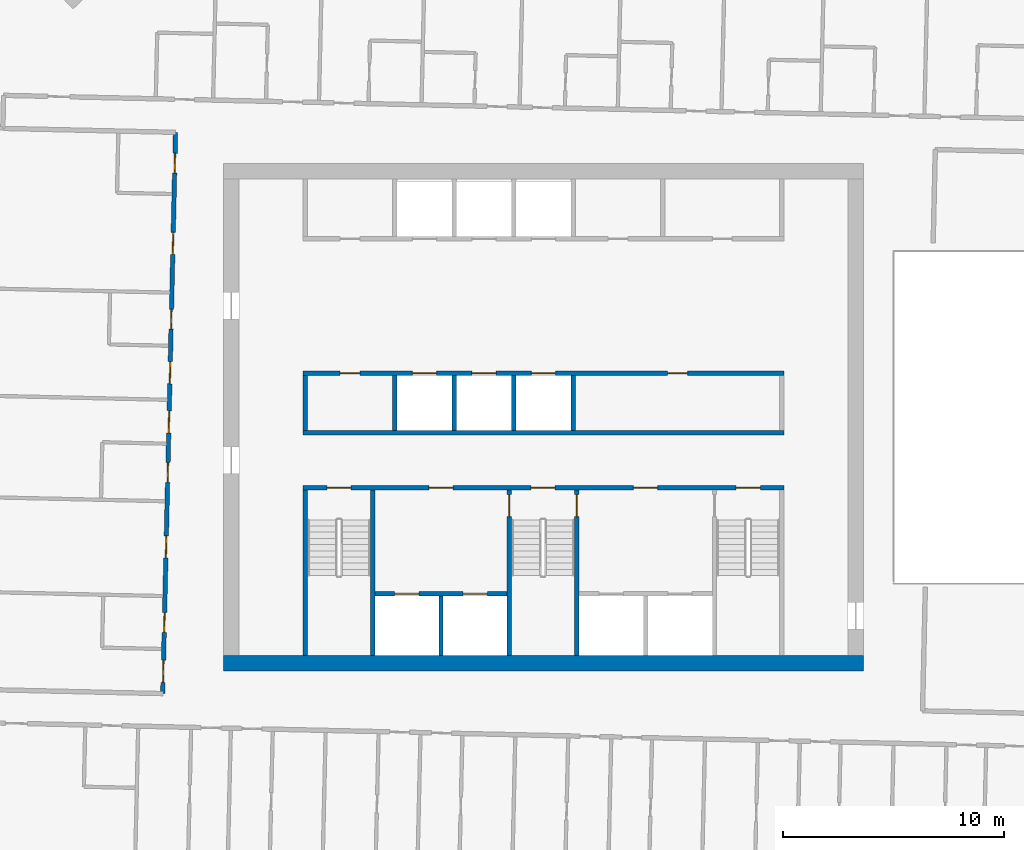
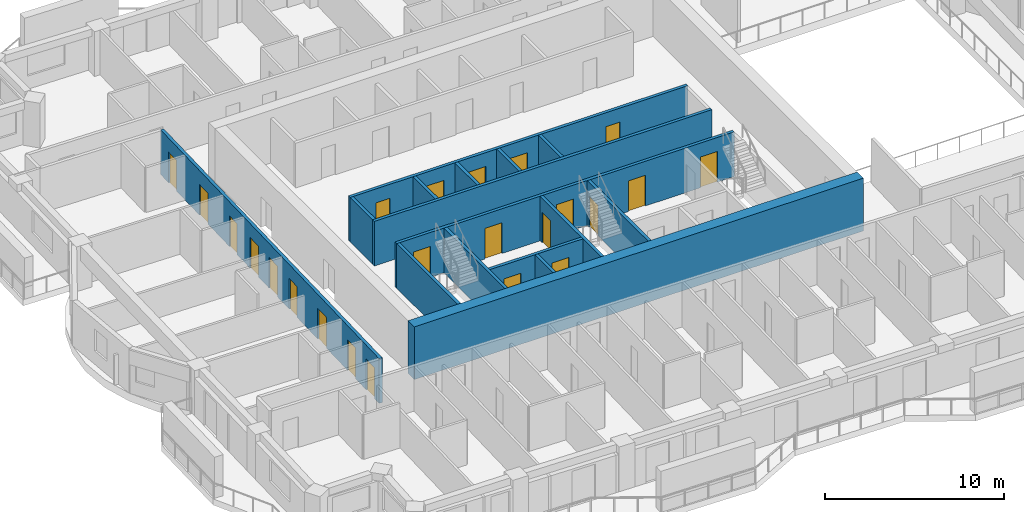
# One storey, part 8 of 17: 23 doors, 16 walls, 23 openings.
"""IFC4 building model written with IfcOpenShell, lengths in metres."""

from ifc_helpers import new_model, si_unit, direction, frame, frame_2d, origin, place, context, subcontext, project, spatial, rectangle, extrude, material, layer, layer_set, type_object, element, fill, save


model = new_model("IFC4")

# Units and contexts
model_context = context("Model", 3, precision=1e-05, world=origin(), true_north=direction((0.0, 1.0)))
body_context = subcontext(model_context, "Body", "Model", "MODEL_VIEW")
ifc_project = project(units=[si_unit("LENGTHUNIT", "METRE"), si_unit("AREAUNIT", "SQUARE_METRE"), si_unit("VOLUMEUNIT", "CUBIC_METRE"), si_unit("PLANEANGLEUNIT", "RADIAN"), si_unit("MASSUNIT", "GRAM", prefix="KILO")], contexts=[model_context])

# Site, building, storey
site_placement = place(None, origin())
site = spatial("IfcSite", under=ifc_project, at=site_placement, CompositionType="ELEMENT")
building_placement = place(site_placement, origin())
building = spatial("IfcBuilding", under=site, at=building_placement, Name="Mangrove Gate Tower", CompositionType="ELEMENT")
storey_placement = place(building_placement, frame((0.0, 0.0, 264.5)))
storey = spatial("IfcBuildingStorey", under=building, at=storey_placement, Name="L67", CompositionType="ELEMENT", Elevation=264.5)

# Walls
ifc_material_1 = material(Name="Concrete C32/40", Category="concrete")
ifc_layer_1 = layer(ifc_material_1, 0.199951171875)
ifc_layer_set_1 = layer_set([ifc_layer_1], Name="Core room wall 200 C32/40")
wall_type_1 = type_object("IfcWallType", Name="Core room wall 200 C32/40", PredefinedType="STANDARD", material=ifc_layer_set_1)
wall_1_placement = place(storey_placement, frame((-10.800048828125, -0.60009765625, 0.0), z_axis=(0.0, 0.0, 1.0), x_axis=(0.0, 1.0, 0.0)))
element("IfcWall", 1, at=wall_1_placement, inside=storey, type_object=wall_type_1, Name="WALL-L67-CORE-19", PredefinedType="STANDARD", context=body_context, shape_type="SweptSolid", body=[
    extrude(rectangle(XDim=2.5, YDim=0.199951171875, at=frame_2d((1.25, 0.0))), origin(), (0.0, 0.0, 1.0), 3.050048828125),
])
ifc_material_2 = material(Name="Concrete C60/75", Category="concrete")
ifc_layer_2 = layer(ifc_material_2, 0.199951171875)
ifc_layer_set_2 = layer_set([ifc_layer_2], Name="Core shaft wall 200 C60/75")
wall_type_2 = type_object("IfcWallType", Name="Core shaft wall 200 C60/75", PredefinedType="SHEAR", material=ifc_layer_set_2)
wall_2_placement = place(storey_placement, frame((-10.89990234375, -0.699951171875, 0.0), z_axis=(0.0, 0.0, 1.0), x_axis=(1.0, 0.0, 0.0)))
element("IfcWall", 2, at=wall_2_placement, inside=storey, type_object=wall_type_2, Name="WALL-L67-CORE-6", PredefinedType="SHEAR", context=body_context, shape_type="SweptSolid", body=[
    extrude(rectangle(XDim=21.7998046875, YDim=0.199951171875, at=frame_2d((10.89990234375, 0.0))), origin(), (0.0, 0.0, 1.0), 3.050048828125),
])

# Wall, openings, doors
wall_3_placement = place(storey_placement, frame((-10.89990234375, 2.0, 0.0), z_axis=(0.0, 0.0, 1.0), x_axis=(1.0, 0.0, 0.0)))
wall_3 = element("IfcWall", 3, at=wall_3_placement, inside=storey, type_object=wall_type_2, Name="WALL-L67-CORE-7", PredefinedType="SHEAR", context=body_context, shape_type="SweptSolid", body=[
    extrude(rectangle(XDim=21.7998046875, YDim=0.199951171875, at=frame_2d((10.89990234375, 0.0))), origin(), (0.0, 0.0, 1.0), 3.050048828125),
])
opening_1_placement = place(wall_3_placement, frame((4.949951171875, 0.0, 0.0)))
opening_1 = element("IfcOpeningElement", 4, at=opening_1_placement, cuts=wall_3, Name="Opening LD", PredefinedType="OPENING", context=body_context, shape_type="SweptSolid", body=[
    extrude(rectangle(XDim=1.10009765625, YDim=2.10009765625, at=frame_2d((0.550048828125, 1.050048828125))), frame((0.0, 0.10986328125, 0.0), z_axis=(0.0, -1.0, 0.0), x_axis=(1.0, 0.0, 0.0)), (0.0, 0.0, 1.0), 0.219970703125),
])
opening_2_placement = place(wall_3_placement, frame((7.64990234375, 0.0, 0.0)))
opening_2 = element("IfcOpeningElement", 5, at=opening_2_placement, cuts=wall_3, Name="Opening LD", PredefinedType="OPENING", context=body_context, shape_type="SweptSolid", body=[
    extrude(rectangle(XDim=1.10009765625, YDim=2.10009765625, at=frame_2d((0.550048828125, 1.050048828125))), frame((0.0, 0.10986328125, 0.0), z_axis=(0.0, -1.0, 0.0), x_axis=(1.0, 0.0, 0.0)), (0.0, 0.0, 1.0), 0.219970703125),
])
opening_3_placement = place(wall_3_placement, frame((10.35009765625, 0.0, 0.0)))
opening_3 = element("IfcOpeningElement", 6, at=opening_3_placement, cuts=wall_3, Name="Opening LD", PredefinedType="OPENING", context=body_context, shape_type="SweptSolid", body=[
    extrude(rectangle(XDim=1.10009765625, YDim=2.10009765625, at=frame_2d((0.550048828125, 1.050048828125))), frame((0.0, 0.10986328125, 0.0), z_axis=(0.0, -1.0, 0.0), x_axis=(1.0, 0.0, 0.0)), (0.0, 0.0, 1.0), 0.219970703125),
])
opening_4_placement = place(wall_3_placement, frame((1.675048828125, 0.0, 0.0)))
opening_4 = element("IfcOpeningElement", 7, at=opening_4_placement, cuts=wall_3, Name="Opening KD", PredefinedType="OPENING", context=body_context, shape_type="SweptSolid", body=[
    extrude(rectangle(XDim=0.89990234375, YDim=2.10009765625, at=frame_2d((0.449951171875, 1.050048828125))), frame((0.0, 0.10986328125, 0.0), z_axis=(0.0, -1.0, 0.0), x_axis=(1.0, 0.0, 0.0)), (0.0, 0.0, 1.0), 0.219970703125),
])
opening_5_placement = place(wall_3_placement, frame((16.52490234375, 0.0, 0.0)))
opening_5 = element("IfcOpeningElement", 8, at=opening_5_placement, cuts=wall_3, Name="Opening KD", PredefinedType="OPENING", context=body_context, shape_type="SweptSolid", body=[
    extrude(rectangle(XDim=0.89990234375, YDim=2.10009765625, at=frame_2d((0.449951171875, 1.050048828125))), frame((0.0, 0.10986328125, 0.0), z_axis=(0.0, -1.0, 0.0), x_axis=(1.0, 0.0, 0.0)), (0.0, 0.0, 1.0), 0.219970703125),
])
ifc_material_3 = material(Name="Fire-rated steel door set", Category="steel")
door_type_1 = type_object("IfcDoorType", Name="Core room door FD30S 900x2100", OperationType="SINGLE_SWING_RIGHT", PredefinedType="DOOR", material=ifc_material_3)
door_1_placement = place(opening_4_placement, origin())
door_1 = element("IfcDoor", 9, at=door_1_placement, inside=storey, type_object=door_type_1, Name="Core room door Core WC", OperationType="SINGLE_SWING_RIGHT", OverallHeight=2.10009765625, OverallWidth=0.89990234375, PredefinedType="DOOR", context=body_context, shape_type="SweptSolid", body=[
    extrude(rectangle(XDim=0.89990234375, YDim=2.10009765625, at=frame_2d((0.449951171875, 1.050048828125))), frame((0.0, 0.02490234375, 0.0), z_axis=(0.0, -1.0, 0.0), x_axis=(1.0, 0.0, 0.0)), (0.0, 0.0, 1.0), 0.050048828125),
])
fill(opening_4, door_1)
door_2_placement = place(opening_5_placement, origin())
door_2 = element("IfcDoor", 10, at=door_2_placement, inside=storey, type_object=door_type_1, Name="Core room door Pantry store", OperationType="SINGLE_SWING_RIGHT", OverallHeight=2.10009765625, OverallWidth=0.89990234375, PredefinedType="DOOR", context=body_context, shape_type="SweptSolid", body=[
    extrude(rectangle(XDim=0.89990234375, YDim=2.10009765625, at=frame_2d((0.449951171875, 1.050048828125))), frame((0.0, 0.02490234375, 0.0), z_axis=(0.0, -1.0, 0.0), x_axis=(1.0, 0.0, 0.0)), (0.0, 0.0, 1.0), 0.050048828125),
])
fill(opening_5, door_2)
ifc_material_4 = material(Name="Stainless steel 316", Category="steel")
door_type_2 = type_object("IfcDoorType", Name="Lift landing door 1100x2100", OperationType="SLIDING_TO_LEFT", PredefinedType="DOOR", material=ifc_material_4)
door_3_placement = place(opening_1_placement, origin())
door_3 = element("IfcDoor", 11, at=door_3_placement, inside=storey, type_object=door_type_2, Name="Landing door LD H01", OperationType="SLIDING_TO_LEFT", OverallHeight=2.10009765625, OverallWidth=1.10009765625, PredefinedType="DOOR", context=body_context, shape_type="SweptSolid", body=[
    extrude(rectangle(XDim=1.10009765625, YDim=2.10009765625, at=frame_2d((0.550048828125, 1.050048828125))), frame((0.0, 0.02490234375, 0.0), z_axis=(0.0, -1.0, 0.0), x_axis=(1.0, 0.0, 0.0)), (0.0, 0.0, 1.0), 0.050048828125),
])
fill(opening_1, door_3)
door_4_placement = place(opening_2_placement, origin())
door_4 = element("IfcDoor", 12, at=door_4_placement, inside=storey, type_object=door_type_2, Name="Landing door LD H02", OperationType="SLIDING_TO_LEFT", OverallHeight=2.10009765625, OverallWidth=1.10009765625, PredefinedType="DOOR", context=body_context, shape_type="SweptSolid", body=[
    extrude(rectangle(XDim=1.10009765625, YDim=2.10009765625, at=frame_2d((0.550048828125, 1.050048828125))), frame((0.0, 0.02490234375, 0.0), z_axis=(0.0, -1.0, 0.0), x_axis=(1.0, 0.0, 0.0)), (0.0, 0.0, 1.0), 0.050048828125),
])
fill(opening_2, door_4)
door_5_placement = place(opening_3_placement, origin())
door_5 = element("IfcDoor", 13, at=door_5_placement, inside=storey, type_object=door_type_2, Name="Landing door LD H03", OperationType="SLIDING_TO_LEFT", OverallHeight=2.10009765625, OverallWidth=1.10009765625, PredefinedType="DOOR", context=body_context, shape_type="SweptSolid", body=[
    extrude(rectangle(XDim=1.10009765625, YDim=2.10009765625, at=frame_2d((0.550048828125, 1.050048828125))), frame((0.0, 0.02490234375, 0.0), z_axis=(0.0, -1.0, 0.0), x_axis=(1.0, 0.0, 0.0)), (0.0, 0.0, 1.0), 0.050048828125),
])
fill(opening_3, door_5)

wall_4_placement = place(storey_placement, frame((-7.64990234375, -8.0, 0.0), z_axis=(0.0, 0.0, 1.0), x_axis=(1.0, 0.0, 0.0)))
wall_4 = element("IfcWall", 14, at=wall_4_placement, inside=storey, type_object=wall_type_2, Name="WALL-L67-CORE-15", PredefinedType="SHEAR", context=body_context, shape_type="SweptSolid", body=[
    extrude(rectangle(XDim=6.0, YDim=0.199951171875, at=frame_2d((3.0, 0.0))), origin(), (0.0, 0.0, 1.0), 3.050048828125),
])
opening_6_placement = place(wall_4_placement, frame((0.89990234375, 0.0, 0.0)))
opening_6 = element("IfcOpeningElement", 15, at=opening_6_placement, cuts=wall_4, Name="Opening LD", PredefinedType="OPENING", context=body_context, shape_type="SweptSolid", body=[
    extrude(rectangle(XDim=1.10009765625, YDim=2.10009765625, at=frame_2d((0.550048828125, 1.050048828125))), frame((0.0, 0.10986328125, 0.0), z_axis=(0.0, -1.0, 0.0), x_axis=(1.0, 0.0, 0.0)), (0.0, 0.0, 1.0), 0.219970703125),
])
opening_7_placement = place(wall_4_placement, frame((4.0, 0.0, 0.0)))
opening_7 = element("IfcOpeningElement", 16, at=opening_7_placement, cuts=wall_4, Name="Opening LD", PredefinedType="OPENING", context=body_context, shape_type="SweptSolid", body=[
    extrude(rectangle(XDim=1.10009765625, YDim=2.10009765625, at=frame_2d((0.550048828125, 1.050048828125))), frame((0.0, 0.10986328125, 0.0), z_axis=(0.0, -1.0, 0.0), x_axis=(1.0, 0.0, 0.0)), (0.0, 0.0, 1.0), 0.219970703125),
])
door_6_placement = place(opening_6_placement, origin())
door_6 = element("IfcDoor", 17, at=door_6_placement, inside=storey, type_object=door_type_2, Name="Landing door LD SVL1", OperationType="SLIDING_TO_LEFT", OverallHeight=2.10009765625, OverallWidth=1.10009765625, PredefinedType="DOOR", context=body_context, shape_type="SweptSolid", body=[
    extrude(rectangle(XDim=1.10009765625, YDim=2.10009765625, at=frame_2d((0.550048828125, 1.050048828125))), frame((0.0, 0.02490234375, 0.0), z_axis=(0.0, -1.0, 0.0), x_axis=(1.0, 0.0, 0.0)), (0.0, 0.0, 1.0), 0.050048828125),
])
fill(opening_6, door_6)
door_7_placement = place(opening_7_placement, origin())
door_7 = element("IfcDoor", 18, at=door_7_placement, inside=storey, type_object=door_type_2, Name="Landing door LD SVL2", OperationType="SLIDING_TO_LEFT", OverallHeight=2.10009765625, OverallWidth=1.10009765625, PredefinedType="DOOR", context=body_context, shape_type="SweptSolid", body=[
    extrude(rectangle(XDim=1.10009765625, YDim=2.10009765625, at=frame_2d((0.550048828125, 1.050048828125))), frame((0.0, 0.02490234375, 0.0), z_axis=(0.0, -1.0, 0.0), x_axis=(1.0, 0.0, 0.0)), (0.0, 0.0, 1.0), 0.050048828125),
])
fill(opening_7, door_7)

# Walls
wall_5_placement = place(storey_placement, frame((-4.64990234375, -10.800048828125, 0.0), z_axis=(0.0, 0.0, 1.0), x_axis=(0.0, 1.0, 0.0)))
element("IfcWall", 19, at=wall_5_placement, inside=storey, type_object=wall_type_2, Name="WALL-L67-CORE-16", PredefinedType="SHEAR", context=body_context, shape_type="SweptSolid", body=[
    extrude(rectangle(XDim=2.699951171875, YDim=0.199951171875, at=frame_2d((1.35009765625, 0.0))), origin(), (0.0, 0.0, 1.0), 3.050048828125),
])
for number, where, z_axis, x_axis, name in (
    (20, (-6.75, -0.60009765625, 0.0), (0.0, 0.0, 1.0), (0.0, 1.0, 0.0), "WALL-L67-CORE-20"),
    (21, (-4.050048828125, -0.60009765625, 0.0), (0.0, 0.0, 1.0), (0.0, 1.0, 0.0), "WALL-L67-CORE-21"),
    (22, (-1.35009765625, -0.60009765625, 0.0), (0.0, 0.0, 1.0), (0.0, 1.0, 0.0), "WALL-L67-CORE-22"),
    (23, (1.35009765625, -0.60009765625, 0.0), (0.0, 0.0, 1.0), (0.0, 1.0, 0.0), "WALL-L67-CORE-23"),
):
    element("IfcWall", number, at=place(storey_placement, frame(where, z_axis=z_axis, x_axis=x_axis)), inside=storey, type_object=wall_type_2, Name=name, PredefinedType="SHEAR", context=body_context, shape_type="SweptSolid", body=[
        extrude(rectangle(XDim=2.5, YDim=0.199951171875, at=frame_2d((1.25, 0.0))), origin(), (0.0, 0.0, 1.0), 3.050048828125),
    ])

# Wall, openings, doors
ifc_material_5 = material(Name="Concrete C60/75", Category="concrete")
ifc_layer_3 = layer(ifc_material_5, 0.199951171875)
ifc_layer_set_3 = layer_set([ifc_layer_3], Name="Core stair wall 200 C60/75")
wall_type_3 = type_object("IfcWallType", Name="Core stair wall 200 C60/75", PredefinedType="SHEAR", material=ifc_layer_set_3)
wall_6_placement = place(storey_placement, frame((-10.89990234375, -3.199951171875, 0.0), z_axis=(0.0, 0.0, 1.0), x_axis=(1.0, 0.0, 0.0)))
wall_6 = element("IfcWall", 24, at=wall_6_placement, inside=storey, type_object=wall_type_3, Name="WALL-L67-CORE-5", PredefinedType="SHEAR", context=body_context, shape_type="SweptSolid", body=[
    extrude(rectangle(XDim=21.7998046875, YDim=0.199951171875, at=frame_2d((10.89990234375, 0.0))), origin(), (0.0, 0.0, 1.0), 3.050048828125),
])
opening_8_placement = place(wall_6_placement, frame((1.074951171875, 0.0, 0.0)))
opening_8 = element("IfcOpeningElement", 25, at=opening_8_placement, cuts=wall_6, Name="Opening STD11", PredefinedType="OPENING", context=body_context, shape_type="SweptSolid", body=[
    extrude(rectangle(XDim=1.10009765625, YDim=2.10009765625, at=frame_2d((0.550048828125, 1.050048828125))), frame((0.0, 0.10986328125, 0.0), z_axis=(0.0, -1.0, 0.0), x_axis=(1.0, 0.0, 0.0)), (0.0, 0.0, 1.0), 0.219970703125),
])
opening_9_placement = place(wall_6_placement, frame((10.324951171875, 0.0, 0.0)))
opening_9 = element("IfcOpeningElement", 26, at=opening_9_placement, cuts=wall_6, Name="Opening STD11", PredefinedType="OPENING", context=body_context, shape_type="SweptSolid", body=[
    extrude(rectangle(XDim=1.10009765625, YDim=2.10009765625, at=frame_2d((0.550048828125, 1.050048828125))), frame((0.0, 0.10986328125, 0.0), z_axis=(0.0, -1.0, 0.0), x_axis=(1.0, 0.0, 0.0)), (0.0, 0.0, 1.0), 0.219970703125),
])
opening_10_placement = place(wall_6_placement, frame((19.625, 0.0, 0.0)))
opening_10 = element("IfcOpeningElement", 27, at=opening_10_placement, cuts=wall_6, Name="Opening STD11", PredefinedType="OPENING", context=body_context, shape_type="SweptSolid", body=[
    extrude(rectangle(XDim=1.10009765625, YDim=2.10009765625, at=frame_2d((0.550048828125, 1.050048828125))), frame((0.0, 0.10986328125, 0.0), z_axis=(0.0, -1.0, 0.0), x_axis=(1.0, 0.0, 0.0)), (0.0, 0.0, 1.0), 0.219970703125),
])
opening_11_placement = place(wall_6_placement, frame((5.699951171875, 0.0, 0.0)))
opening_11 = element("IfcOpeningElement", 28, at=opening_11_placement, cuts=wall_6, Name="Opening FL", PredefinedType="OPENING", context=body_context, shape_type="SweptSolid", body=[
    extrude(rectangle(XDim=1.10009765625, YDim=2.10009765625, at=frame_2d((0.550048828125, 1.050048828125))), frame((0.0, 0.10986328125, 0.0), z_axis=(0.0, -1.0, 0.0), x_axis=(1.0, 0.0, 0.0)), (0.0, 0.0, 1.0), 0.219970703125),
])
opening_12_placement = place(wall_6_placement, frame((14.97509765625, 0.0, 0.0)))
opening_12 = element("IfcOpeningElement", 29, at=opening_12_placement, cuts=wall_6, Name="Opening FL", PredefinedType="OPENING", context=body_context, shape_type="SweptSolid", body=[
    extrude(rectangle(XDim=1.10009765625, YDim=2.10009765625, at=frame_2d((0.550048828125, 1.050048828125))), frame((0.0, 0.10986328125, 0.0), z_axis=(0.0, -1.0, 0.0), x_axis=(1.0, 0.0, 0.0)), (0.0, 0.0, 1.0), 0.219970703125),
])
ifc_material_6 = material(Name="Fire-rated steel door set", Category="steel")
door_type_3 = type_object("IfcDoorType", Name="Lobby door FD60 1100x2100", OperationType="SINGLE_SWING_LEFT", PredefinedType="DOOR", material=ifc_material_6)
door_8_placement = place(opening_11_placement, origin())
door_8 = element("IfcDoor", 30, at=door_8_placement, inside=storey, type_object=door_type_3, Name="Lobby door service lobby", OperationType="SINGLE_SWING_LEFT", OverallHeight=2.10009765625, OverallWidth=1.10009765625, PredefinedType="DOOR", context=body_context, shape_type="SweptSolid", body=[
    extrude(rectangle(XDim=1.10009765625, YDim=2.10009765625, at=frame_2d((0.550048828125, 1.050048828125))), frame((0.0, 0.02490234375, 0.0), z_axis=(0.0, -1.0, 0.0), x_axis=(1.0, 0.0, 0.0)), (0.0, 0.0, 1.0), 0.050048828125),
])
fill(opening_11, door_8)
door_9_placement = place(opening_12_placement, origin())
door_9 = element("IfcDoor", 31, at=door_9_placement, inside=storey, type_object=door_type_3, Name="Lobby door fire-fighting lobby", OperationType="SINGLE_SWING_LEFT", OverallHeight=2.10009765625, OverallWidth=1.10009765625, PredefinedType="DOOR", context=body_context, shape_type="SweptSolid", body=[
    extrude(rectangle(XDim=1.10009765625, YDim=2.10009765625, at=frame_2d((0.550048828125, 1.050048828125))), frame((0.0, 0.02490234375, 0.0), z_axis=(0.0, -1.0, 0.0), x_axis=(1.0, 0.0, 0.0)), (0.0, 0.0, 1.0), 0.050048828125),
])
fill(opening_12, door_9)
ifc_material_7 = material(Name="Fire-rated steel door set", Category="steel")
door_type_4 = type_object("IfcDoorType", Name="Stair door FD60 1100x2100", OperationType="SINGLE_SWING_RIGHT", PredefinedType="DOOR", material=ifc_material_7)
door_10_placement = place(opening_8_placement, origin())
door_10 = element("IfcDoor", 32, at=door_10_placement, inside=storey, type_object=door_type_4, Name="Stair door Stair 1", OperationType="SINGLE_SWING_RIGHT", OverallHeight=2.10009765625, OverallWidth=1.10009765625, PredefinedType="DOOR", context=body_context, shape_type="SweptSolid", body=[
    extrude(rectangle(XDim=1.10009765625, YDim=2.10009765625, at=frame_2d((0.550048828125, 1.050048828125))), frame((0.0, 0.02490234375, 0.0), z_axis=(0.0, -1.0, 0.0), x_axis=(1.0, 0.0, 0.0)), (0.0, 0.0, 1.0), 0.050048828125),
])
fill(opening_8, door_10)
door_11_placement = place(opening_9_placement, origin())
door_11 = element("IfcDoor", 33, at=door_11_placement, inside=storey, type_object=door_type_4, Name="Stair door Stair 2", OperationType="SINGLE_SWING_RIGHT", OverallHeight=2.10009765625, OverallWidth=1.10009765625, PredefinedType="DOOR", context=body_context, shape_type="SweptSolid", body=[
    extrude(rectangle(XDim=1.10009765625, YDim=2.10009765625, at=frame_2d((0.550048828125, 1.050048828125))), frame((0.0, 0.02490234375, 0.0), z_axis=(0.0, -1.0, 0.0), x_axis=(1.0, 0.0, 0.0)), (0.0, 0.0, 1.0), 0.050048828125),
])
fill(opening_9, door_11)
door_12_placement = place(opening_10_placement, origin())
door_12 = element("IfcDoor", 34, at=door_12_placement, inside=storey, type_object=door_type_4, Name="Stair door Stair 3", OperationType="SINGLE_SWING_RIGHT", OverallHeight=2.10009765625, OverallWidth=1.10009765625, PredefinedType="DOOR", context=body_context, shape_type="SweptSolid", body=[
    extrude(rectangle(XDim=1.10009765625, YDim=2.10009765625, at=frame_2d((0.550048828125, 1.050048828125))), frame((0.0, 0.02490234375, 0.0), z_axis=(0.0, -1.0, 0.0), x_axis=(1.0, 0.0, 0.0)), (0.0, 0.0, 1.0), 0.050048828125),
])
fill(opening_10, door_12)

# Walls
for number, where, z_axis, x_axis, name in (
    (35, (-10.800048828125, -10.800048828125, 0.0), (0.0, 0.0, 1.0), (0.0, 1.0, 0.0), "WALL-L67-CORE-9"),
    (36, (-7.75, -10.800048828125, 0.0), (0.0, 0.0, 1.0), (0.0, 1.0, 0.0), "WALL-L67-CORE-10"),
):
    element("IfcWall", number, at=place(storey_placement, frame(where, z_axis=z_axis, x_axis=x_axis)), inside=storey, type_object=wall_type_3, Name=name, PredefinedType="SHEAR", context=body_context, shape_type="SweptSolid", body=[
        extrude(rectangle(XDim=7.5, YDim=0.199951171875, at=frame_2d((3.75, 0.0))), origin(), (0.0, 0.0, 1.0), 3.050048828125),
    ])

# Wall, opening, door
wall_7_placement = place(storey_placement, frame((-1.550048828125, -10.800048828125, 0.0), z_axis=(0.0, 0.0, 1.0), x_axis=(0.0, 1.0, 0.0)))
wall_7 = element("IfcWall", 37, at=wall_7_placement, inside=storey, type_object=wall_type_3, Name="WALL-L67-CORE-11", PredefinedType="SHEAR", context=body_context, shape_type="SweptSolid", body=[
    extrude(rectangle(XDim=7.5, YDim=0.199951171875, at=frame_2d((3.75, 0.0))), origin(), (0.0, 0.0, 1.0), 3.050048828125),
])
opening_13_placement = place(wall_7_placement, frame((6.300048828125, 0.0, 0.0)))
opening_13 = element("IfcOpeningElement", 38, at=opening_13_placement, cuts=wall_7, Name="Opening STD10", PredefinedType="OPENING", context=body_context, shape_type="SweptSolid", body=[
    extrude(rectangle(XDim=1.0, YDim=2.10009765625, at=frame_2d((0.5, 1.050048828125))), frame((0.0, 0.10986328125, 0.0), z_axis=(0.0, -1.0, 0.0), x_axis=(1.0, 0.0, 0.0)), (0.0, 0.0, 1.0), 0.219970703125),
])
ifc_material_8 = material(Name="Fire-rated steel door set", Category="steel")
door_type_5 = type_object("IfcDoorType", Name="Stair door FD60 1000x2100", OperationType="SINGLE_SWING_RIGHT", PredefinedType="DOOR", material=ifc_material_8)
door_13_placement = place(opening_13_placement, origin())
door_13 = element("IfcDoor", 39, at=door_13_placement, inside=storey, type_object=door_type_5, Name="Stair door Stair 2 from service lobby", OperationType="SINGLE_SWING_RIGHT", OverallHeight=2.10009765625, OverallWidth=1.0, PredefinedType="DOOR", context=body_context, shape_type="SweptSolid", body=[
    extrude(rectangle(XDim=1.0, YDim=2.10009765625, at=frame_2d((0.5, 1.050048828125))), frame((0.0, 0.02490234375, 0.0), z_axis=(0.0, -1.0, 0.0), x_axis=(1.0, 0.0, 0.0)), (0.0, 0.0, 1.0), 0.050048828125),
])
fill(opening_13, door_13)

wall_8_placement = place(storey_placement, frame((1.5, -10.800048828125, 0.0), z_axis=(0.0, 0.0, 1.0), x_axis=(0.0, 1.0, 0.0)))
wall_8 = element("IfcWall", 40, at=wall_8_placement, inside=storey, type_object=wall_type_3, Name="WALL-L67-CORE-12", PredefinedType="SHEAR", context=body_context, shape_type="SweptSolid", body=[
    extrude(rectangle(XDim=7.5, YDim=0.199951171875, at=frame_2d((3.75, 0.0))), origin(), (0.0, 0.0, 1.0), 3.050048828125),
])
opening_14_placement = place(wall_8_placement, frame((6.300048828125, 0.0, 0.0)))
opening_14 = element("IfcOpeningElement", 41, at=opening_14_placement, cuts=wall_8, Name="Opening STD10", PredefinedType="OPENING", context=body_context, shape_type="SweptSolid", body=[
    extrude(rectangle(XDim=1.0, YDim=2.10009765625, at=frame_2d((0.5, 1.050048828125))), frame((0.0, 0.10986328125, 0.0), z_axis=(0.0, -1.0, 0.0), x_axis=(1.0, 0.0, 0.0)), (0.0, 0.0, 1.0), 0.219970703125),
])
door_14_placement = place(opening_14_placement, origin())
door_14 = element("IfcDoor", 42, at=door_14_placement, inside=storey, type_object=door_type_5, Name="Stair door Stair 2 from fire-fighting lobby", OperationType="SINGLE_SWING_RIGHT", OverallHeight=2.10009765625, OverallWidth=1.0, PredefinedType="DOOR", context=body_context, shape_type="SweptSolid", body=[
    extrude(rectangle(XDim=1.0, YDim=2.10009765625, at=frame_2d((0.5, 1.050048828125))), frame((0.0, 0.02490234375, 0.0), z_axis=(0.0, -1.0, 0.0), x_axis=(1.0, 0.0, 0.0)), (0.0, 0.0, 1.0), 0.050048828125),
])
fill(opening_14, door_14)

# Wall
ifc_material_9 = material(Name="Concrete C60/75", Category="concrete")
ifc_layer_4 = layer(ifc_material_9, 0.699951171875)
ifc_layer_set_4 = layer_set([ifc_layer_4], Name="Core wall 700 C60/75")
wall_type_4 = type_object("IfcWallType", Name="Core wall 700 C60/75", PredefinedType="SHEAR", material=ifc_layer_set_4)
wall_9_placement = place(storey_placement, frame((-14.5, -11.14990234375, 0.0), z_axis=(0.0, 0.0, 1.0), x_axis=(1.0, 0.0, 0.0)))
element("IfcWall", 43, at=wall_9_placement, inside=storey, type_object=wall_type_4, Name="WALL-L67-CORE-1", PredefinedType="SHEAR", context=body_context, shape_type="SweptSolid", body=[
    extrude(rectangle(XDim=29.0, YDim=0.699951171875, at=frame_2d((14.5, 0.0))), origin(), (0.0, 0.0, 1.0), 3.60009765625),
])

# Wall, openings, doors
ifc_material_10 = material(Name="Gypsum board on steel stud, EI 60", Category="steel")
ifc_layer_5 = layer(ifc_material_10, 0.199951171875)
ifc_layer_set_5 = layer_set([ifc_layer_5], Name="Corridor wall EI 60")
wall_type_5 = type_object("IfcWallType", Name="Corridor wall EI 60", PredefinedType="PARTITIONING", material=ifc_layer_set_5)
wall_10_placement = place(storey_placement, frame((-17.261962890625, -12.52490234375, 0.0), z_axis=(0.0, 0.0, 1.0), x_axis=(0.022706151961, 0.999742182097, 0.0)))
wall_10 = element("IfcWall", 44, at=wall_10_placement, inside=storey, type_object=wall_type_5, Name="WALL-L67-037", PredefinedType="PARTITIONING", context=body_context, shape_type="SweptSolid", body=[
    extrude(rectangle(XDim=25.450439453125, YDim=0.199951171875, at=frame_2d((12.72509765625, 0.0))), origin(), (0.0, 0.0, 1.0), 3.050048828125),
])
opening_15_placement = place(wall_10_placement, frame((19.9130859375, 0.0, 0.0)))
opening_15 = element("IfcOpeningElement", 45, at=opening_15_placement, cuts=wall_10, Name="Opening AD", PredefinedType="OPENING", context=body_context, shape_type="SweptSolid", body=[
    extrude(rectangle(XDim=1.0, YDim=2.10009765625, at=frame_2d((0.5, 1.050048828125))), frame((0.0, 0.10986328125, 0.0), z_axis=(0.0, -1.0, 0.0), x_axis=(1.0, 0.0, 0.0)), (0.0, 0.0, 1.0), 0.219970703125),
])
opening_16_placement = place(wall_10_placement, frame((23.60009765625, 0.0, 0.0)))
opening_16 = element("IfcOpeningElement", 46, at=opening_16_placement, cuts=wall_10, Name="Opening SD", PredefinedType="OPENING", context=body_context, shape_type="SweptSolid", body=[
    extrude(rectangle(XDim=0.89990234375, YDim=2.10009765625, at=frame_2d((0.449951171875, 1.050048828125))), frame((0.0, 0.10986328125, 0.0), z_axis=(0.0, -1.0, 0.0), x_axis=(1.0, 0.0, 0.0)), (0.0, 0.0, 1.0), 0.219970703125),
])
opening_17_placement = place(wall_10_placement, frame((14.050048828125, 0.0, 0.0)))
opening_17 = element("IfcOpeningElement", 47, at=opening_17_placement, cuts=wall_10, Name="Opening AD", PredefinedType="OPENING", context=body_context, shape_type="SweptSolid", body=[
    extrude(rectangle(XDim=1.0, YDim=2.10009765625, at=frame_2d((0.5, 1.050048828125))), frame((0.0, 0.10986328125, 0.0), z_axis=(0.0, -1.0, 0.0), x_axis=(1.0, 0.0, 0.0)), (0.0, 0.0, 1.0), 0.219970703125),
])
opening_18_placement = place(wall_10_placement, frame((16.52490234375, 0.0, 0.0)))
opening_18 = element("IfcOpeningElement", 48, at=opening_18_placement, cuts=wall_10, Name="Opening SD", PredefinedType="OPENING", context=body_context, shape_type="SweptSolid", body=[
    extrude(rectangle(XDim=0.89990234375, YDim=2.10009765625, at=frame_2d((0.449951171875, 1.050048828125))), frame((0.0, 0.10986328125, 0.0), z_axis=(0.0, -1.0, 0.0), x_axis=(1.0, 0.0, 0.0)), (0.0, 0.0, 1.0), 0.219970703125),
])
opening_19_placement = place(wall_10_placement, frame((11.824951171875, 0.0, 0.0)))
opening_19 = element("IfcOpeningElement", 49, at=opening_19_placement, cuts=wall_10, Name="Opening AD", PredefinedType="OPENING", context=body_context, shape_type="SweptSolid", body=[
    extrude(rectangle(XDim=1.0, YDim=2.10009765625, at=frame_2d((0.5, 1.050048828125))), frame((0.0, 0.10986328125, 0.0), z_axis=(0.0, -1.0, 0.0), x_axis=(1.0, 0.0, 0.0)), (0.0, 0.0, 1.0), 0.219970703125),
])
opening_20_placement = place(wall_10_placement, frame((9.574951171875, 0.0, 0.0)))
opening_20 = element("IfcOpeningElement", 50, at=opening_20_placement, cuts=wall_10, Name="Opening SD", PredefinedType="OPENING", context=body_context, shape_type="SweptSolid", body=[
    extrude(rectangle(XDim=0.89990234375, YDim=2.10009765625, at=frame_2d((0.449951171875, 1.050048828125))), frame((0.0, 0.10986328125, 0.0), z_axis=(0.0, -1.0, 0.0), x_axis=(1.0, 0.0, 0.0)), (0.0, 0.0, 1.0), 0.219970703125),
])
opening_21_placement = place(wall_10_placement, frame((6.155029296875, 0.0, 0.0)))
opening_21 = element("IfcOpeningElement", 51, at=opening_21_placement, cuts=wall_10, Name="Opening AD", PredefinedType="OPENING", context=body_context, shape_type="SweptSolid", body=[
    extrude(rectangle(XDim=1.0, YDim=2.10009765625, at=frame_2d((0.5, 1.050048828125))), frame((0.0, 0.10986328125, 0.0), z_axis=(0.0, -1.0, 0.0), x_axis=(1.0, 0.0, 0.0)), (0.0, 0.0, 1.0), 0.219970703125),
])
opening_22_placement = place(wall_10_placement, frame((0.511962890625, 0.0, 0.0)))
opening_22 = element("IfcOpeningElement", 52, at=opening_22_placement, cuts=wall_10, Name="Opening AD", PredefinedType="OPENING", context=body_context, shape_type="SweptSolid", body=[
    extrude(rectangle(XDim=1.0, YDim=2.10009765625, at=frame_2d((0.5, 1.050048828125))), frame((0.0, 0.10986328125, 0.0), z_axis=(0.0, -1.0, 0.0), x_axis=(1.0, 0.0, 0.0)), (0.0, 0.0, 1.0), 0.219970703125),
])
opening_23_placement = place(wall_10_placement, frame((2.77490234375, 0.0, 0.0)))
opening_23 = element("IfcOpeningElement", 53, at=opening_23_placement, cuts=wall_10, Name="Opening SD", PredefinedType="OPENING", context=body_context, shape_type="SweptSolid", body=[
    extrude(rectangle(XDim=0.89990234375, YDim=2.10009765625, at=frame_2d((0.449951171875, 1.050048828125))), frame((0.0, 0.10986328125, 0.0), z_axis=(0.0, -1.0, 0.0), x_axis=(1.0, 0.0, 0.0)), (0.0, 0.0, 1.0), 0.219970703125),
])
ifc_material_11 = material(Name="Timber door leaf", Category="wood")
door_type_6 = type_object("IfcDoorType", Name="Amenity door 1000", OperationType="SINGLE_SWING_LEFT", PredefinedType="DOOR", material=ifc_material_11)
door_15_placement = place(opening_15_placement, origin())
door_15 = element("IfcDoor", 54, at=door_15_placement, inside=storey, type_object=door_type_6, Name="DOOR-L67-LNG-c5a", OperationType="SINGLE_SWING_LEFT", OverallHeight=2.10009765625, OverallWidth=1.0, PredefinedType="DOOR", context=body_context, shape_type="SweptSolid", body=[
    extrude(rectangle(XDim=1.0, YDim=2.10009765625, at=frame_2d((0.5, 1.050048828125))), frame((0.0, 0.02490234375, 0.0), z_axis=(0.0, -1.0, 0.0), x_axis=(1.0, 0.0, 0.0)), (0.0, 0.0, 1.0), 0.050048828125),
])
fill(opening_15, door_15)
door_16_placement = place(opening_17_placement, origin())
door_16 = element("IfcDoor", 55, at=door_16_placement, inside=storey, type_object=door_type_6, Name="DOOR-L67-GAM-c5b", OperationType="SINGLE_SWING_RIGHT", OverallHeight=2.10009765625, OverallWidth=1.0, PredefinedType="DOOR", context=body_context, shape_type="SweptSolid", body=[
    extrude(rectangle(XDim=1.0, YDim=2.10009765625, at=frame_2d((0.5, 1.050048828125))), frame((0.0, 0.02490234375, 0.0), z_axis=(0.0, -1.0, 0.0), x_axis=(1.0, 0.0, 0.0)), (0.0, 0.0, 1.0), 0.050048828125),
])
fill(opening_17, door_16)
door_17_placement = place(opening_19_placement, origin())
door_17 = element("IfcDoor", 56, at=door_17_placement, inside=storey, type_object=door_type_6, Name="DOOR-L67-GAM-c5c", OperationType="SINGLE_SWING_LEFT", OverallHeight=2.10009765625, OverallWidth=1.0, PredefinedType="DOOR", context=body_context, shape_type="SweptSolid", body=[
    extrude(rectangle(XDim=1.0, YDim=2.10009765625, at=frame_2d((0.5, 1.050048828125))), frame((0.0, 0.02490234375, 0.0), z_axis=(0.0, -1.0, 0.0), x_axis=(1.0, 0.0, 0.0)), (0.0, 0.0, 1.0), 0.050048828125),
])
fill(opening_19, door_17)
door_18_placement = place(opening_21_placement, origin())
door_18 = element("IfcDoor", 57, at=door_18_placement, inside=storey, type_object=door_type_6, Name="DOOR-L67-LNG-c5b", OperationType="SINGLE_SWING_RIGHT", OverallHeight=2.10009765625, OverallWidth=1.0, PredefinedType="DOOR", context=body_context, shape_type="SweptSolid", body=[
    extrude(rectangle(XDim=1.0, YDim=2.10009765625, at=frame_2d((0.5, 1.050048828125))), frame((0.0, 0.02490234375, 0.0), z_axis=(0.0, -1.0, 0.0), x_axis=(1.0, 0.0, 0.0)), (0.0, 0.0, 1.0), 0.050048828125),
])
fill(opening_21, door_18)
door_19_placement = place(opening_22_placement, origin())
door_19 = element("IfcDoor", 58, at=door_19_placement, inside=storey, type_object=door_type_6, Name="DOOR-L67-KIT-c5a", OperationType="SINGLE_SWING_LEFT", OverallHeight=2.10009765625, OverallWidth=1.0, PredefinedType="DOOR", context=body_context, shape_type="SweptSolid", body=[
    extrude(rectangle(XDim=1.0, YDim=2.10009765625, at=frame_2d((0.5, 1.050048828125))), frame((0.0, 0.02490234375, 0.0), z_axis=(0.0, -1.0, 0.0), x_axis=(1.0, 0.0, 0.0)), (0.0, 0.0, 1.0), 0.050048828125),
])
fill(opening_22, door_19)
ifc_material_12 = material(Name="Timber door leaf", Category="wood")
door_type_7 = type_object("IfcDoorType", Name="Service room door 900", OperationType="SINGLE_SWING_LEFT", PredefinedType="DOOR", material=ifc_material_12)
door_20_placement = place(opening_16_placement, origin())
door_20 = element("IfcDoor", 59, at=door_20_placement, inside=storey, type_object=door_type_7, Name="DOOR-L67-LDY-c5a", OperationType="SINGLE_SWING_LEFT", OverallHeight=2.10009765625, OverallWidth=0.89990234375, PredefinedType="DOOR", context=body_context, shape_type="SweptSolid", body=[
    extrude(rectangle(XDim=0.89990234375, YDim=2.10009765625, at=frame_2d((0.449951171875, 1.050048828125))), frame((0.0, 0.02490234375, 0.0), z_axis=(0.0, -1.0, 0.0), x_axis=(1.0, 0.0, 0.0)), (0.0, 0.0, 1.0), 0.050048828125),
])
fill(opening_16, door_20)
door_21_placement = place(opening_18_placement, origin())
door_21 = element("IfcDoor", 60, at=door_21_placement, inside=storey, type_object=door_type_7, Name="DOOR-L67-WC-c5a", OperationType="SINGLE_SWING_RIGHT", OverallHeight=2.10009765625, OverallWidth=0.89990234375, PredefinedType="DOOR", context=body_context, shape_type="SweptSolid", body=[
    extrude(rectangle(XDim=0.89990234375, YDim=2.10009765625, at=frame_2d((0.449951171875, 1.050048828125))), frame((0.0, 0.02490234375, 0.0), z_axis=(0.0, -1.0, 0.0), x_axis=(1.0, 0.0, 0.0)), (0.0, 0.0, 1.0), 0.050048828125),
])
fill(opening_18, door_21)
door_22_placement = place(opening_20_placement, origin())
door_22 = element("IfcDoor", 61, at=door_22_placement, inside=storey, type_object=door_type_7, Name="DOOR-L67-AWC-c5b", OperationType="SINGLE_SWING_LEFT", OverallHeight=2.10009765625, OverallWidth=0.89990234375, PredefinedType="DOOR", context=body_context, shape_type="SweptSolid", body=[
    extrude(rectangle(XDim=0.89990234375, YDim=2.10009765625, at=frame_2d((0.449951171875, 1.050048828125))), frame((0.0, 0.02490234375, 0.0), z_axis=(0.0, -1.0, 0.0), x_axis=(1.0, 0.0, 0.0)), (0.0, 0.0, 1.0), 0.050048828125),
])
fill(opening_20, door_22)
door_23_placement = place(opening_23_placement, origin())
door_23 = element("IfcDoor", 62, at=door_23_placement, inside=storey, type_object=door_type_7, Name="DOOR-L67-WC-c5b", OperationType="SINGLE_SWING_RIGHT", OverallHeight=2.10009765625, OverallWidth=0.89990234375, PredefinedType="DOOR", context=body_context, shape_type="SweptSolid", body=[
    extrude(rectangle(XDim=0.89990234375, YDim=2.10009765625, at=frame_2d((0.449951171875, 1.050048828125))), frame((0.0, 0.02490234375, 0.0), z_axis=(0.0, -1.0, 0.0), x_axis=(1.0, 0.0, 0.0)), (0.0, 0.0, 1.0), 0.050048828125),
])
fill(opening_23, door_23)

save(model, "model.ifc")
